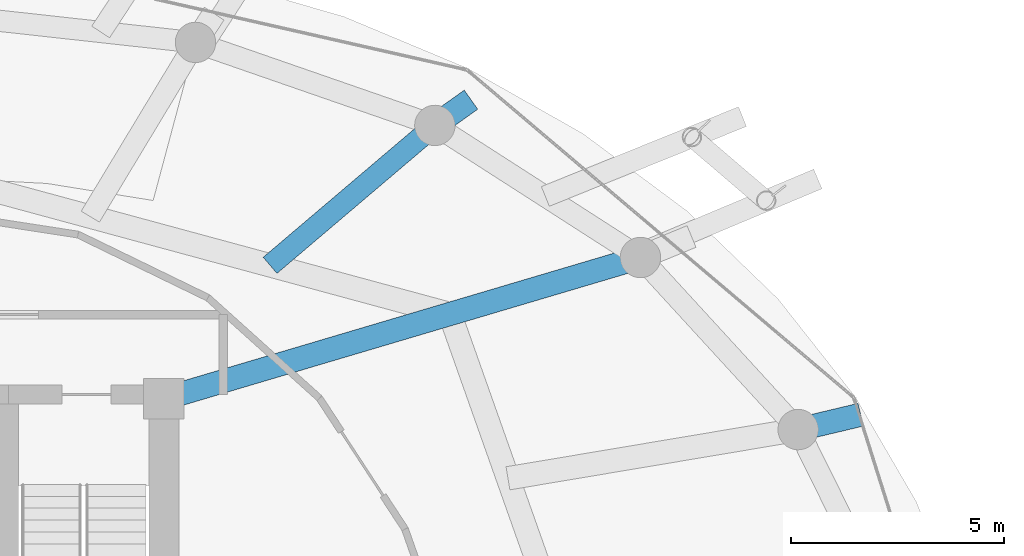
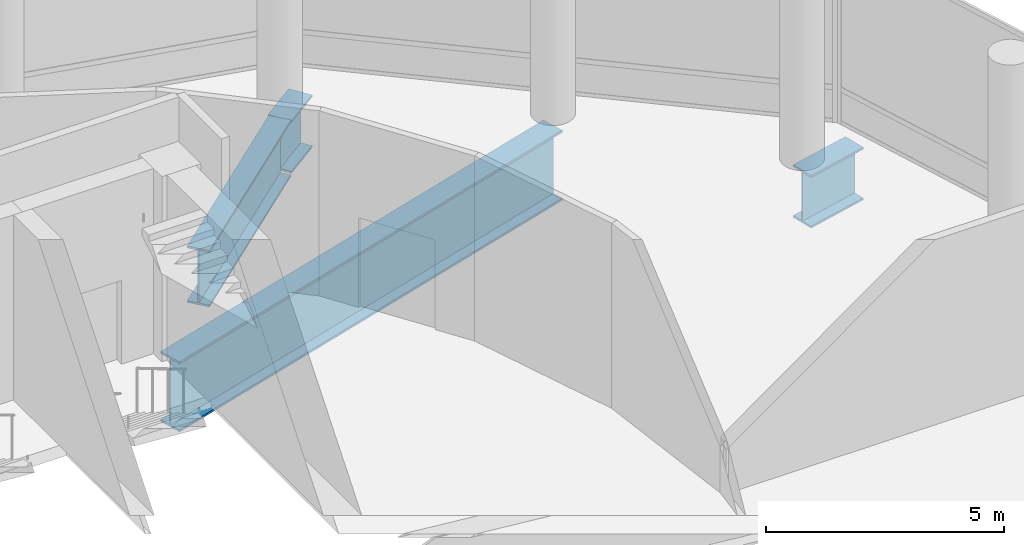
# One storey, part 18 of 29: 4 beams.
"""IFC4 building model written with IfcOpenShell, lengths in metres."""

from ifc_helpers import new_model, si_unit, direction, frame, origin, origin_2d, place, context, subcontext, project, spatial, i_section, extrude, material, material_profile, profile_set, type_object, element, save


model = new_model("IFC4")

# Units and contexts
model_context = context("Model", 3, precision=1e-05, world=origin(), true_north=direction((0.0, 1.0)))
body_context = subcontext(model_context, "Body", "Model", "MODEL_VIEW")
ifc_project = project(units=[si_unit("LENGTHUNIT", "METRE"), si_unit("AREAUNIT", "SQUARE_METRE"), si_unit("VOLUMEUNIT", "CUBIC_METRE"), si_unit("PLANEANGLEUNIT", "RADIAN"), si_unit("MASSUNIT", "GRAM", prefix="KILO")], contexts=[model_context])

# Site, building, storey
site_placement = place(None, origin())
site = spatial("IfcSite", under=ifc_project, at=site_placement, CompositionType="ELEMENT")
building_placement = place(site_placement, origin())
building = spatial("IfcBuilding", under=site, at=building_placement, Name="Nuhasar Tower", CompositionType="ELEMENT")
storey_placement = place(building_placement, frame((0.0, 0.0, 113.25)))
storey = spatial("IfcBuildingStorey", under=building, at=storey_placement, Name="L26", CompositionType="ELEMENT", Elevation=113.25)

# Beams
ifc_material = material(Name="Steel S460", Category="steel")
ifc_material_profile_1 = material_profile(ifc_material, i_section(OverallWidth=0.550048828125, OverallDepth=1.35009765625, WebThickness=0.028076171875, FlangeThickness=0.050048828125, at=origin_2d()), Name="PG1350X550")
ifc_profile_set_1 = profile_set([ifc_material_profile_1], Name="Steel S460")
beam_type_1 = type_object("IfcBeamType", Name="BM-XFER-PG1350", PredefinedType="USERDEFINED", material=ifc_profile_set_1)
beam_1_placement = place(storey_placement, frame((59.221923828125, 36.574951171875, -0.9951171875), z_axis=(0.972868498896, 0.231358777349, 0.0), x_axis=(-0.231358777349, 0.972868498896, 0.0)))
element("IfcBeam", 1, at=beam_1_placement, inside=storey, type_object=beam_type_1, Name="L26 Outer Column Step Transfer Girder 03", ObjectType="GIRDER", PredefinedType="USERDEFINED", context=body_context, shape_type="SweptSolid", body=[
    extrude(i_section(OverallWidth=0.550048828125, OverallDepth=1.35009765625, WebThickness=0.028076171875, FlangeThickness=0.050048828125, at=origin_2d()), origin(), (0.0, 0.0, 1.0), 1.51318359375),
])
beam_2_placement = place(storey_placement, frame((50.675048828125, 43.73095703125, -0.9951171875), z_axis=(0.81422311816, 0.58055207678, 0.0), x_axis=(-0.58055207678, 0.81422311816, 0.0)))
element("IfcBeam", 2, at=beam_2_placement, inside=storey, type_object=beam_type_1, Name="L26 Outer Column Step Transfer Girder 05", ObjectType="GIRDER", PredefinedType="USERDEFINED", context=body_context, shape_type="SweptSolid", body=[
    extrude(i_section(OverallWidth=0.550048828125, OverallDepth=1.35009765625, WebThickness=0.028076171875, FlangeThickness=0.050048828125, at=origin_2d()), origin(), (0.0, 0.0, 1.0), 1.043701171875),
])
ifc_material_profile_2 = material_profile(ifc_material, i_section(OverallWidth=0.5, OverallDepth=1.449951171875, WebThickness=0.028076171875, FlangeThickness=0.050048828125, at=origin_2d()), Name="PG1450X500")
ifc_profile_set_2 = profile_set([ifc_material_profile_2], Name="Steel S460")
beam_type_2 = type_object("IfcBeamType", Name="BM-XFER-PG1450", PredefinedType="USERDEFINED", material=ifc_profile_set_2)
beam_3_placement = place(storey_placement, frame((46.798095703125, 40.43896484375, -1.044921875), z_axis=(0.762270842322, 0.647258188783, 0.0), x_axis=(-0.647258188783, 0.762270842322, 0.0)))
element("IfcBeam", 3, at=beam_3_placement, inside=storey, type_object=beam_type_2, Name="L26 Inner Column Transfer Girder 05", ObjectType="GIRDER", PredefinedType="USERDEFINED", context=body_context, shape_type="SweptSolid", body=[
    extrude(i_section(OverallWidth=0.5, OverallDepth=1.449951171875, WebThickness=0.028076171875, FlangeThickness=0.050048828125, at=origin_2d()), origin(), (0.0, 0.0, 1.0), 5.0859375),
])
ifc_material_profile_3 = material_profile(ifc_material, i_section(OverallWidth=0.550048828125, OverallDepth=1.800048828125, WebThickness=0.031982421875, FlangeThickness=0.054931640625, at=origin_2d()), Name="PG1800X550")
ifc_profile_set_3 = profile_set([ifc_material_profile_3], Name="Steel S460")
beam_type_3 = type_object("IfcBeamType", Name="BM-XFER-PG1800", PredefinedType="USERDEFINED", material=ifc_profile_set_3)
beam_4_placement = place(storey_placement, frame((44.300048828125, 37.300048828125, -1.219970703125), z_axis=(0.958746492721, 0.284262489076, 0.0), x_axis=(-0.284262489076, 0.958746492721, 0.0)))
element("IfcBeam", 4, at=beam_4_placement, inside=storey, type_object=beam_type_3, Name="L26 Radial Floor Girder 05", ObjectType="GIRDER", PredefinedType="USERDEFINED", context=body_context, shape_type="SweptSolid", body=[
    extrude(i_section(OverallWidth=0.550048828125, OverallDepth=1.800048828125, WebThickness=0.031982421875, FlangeThickness=0.054931640625, at=origin_2d()), origin(), (0.0, 0.0, 1.0), 11.693359375),
])

save(model, "model.ifc")
